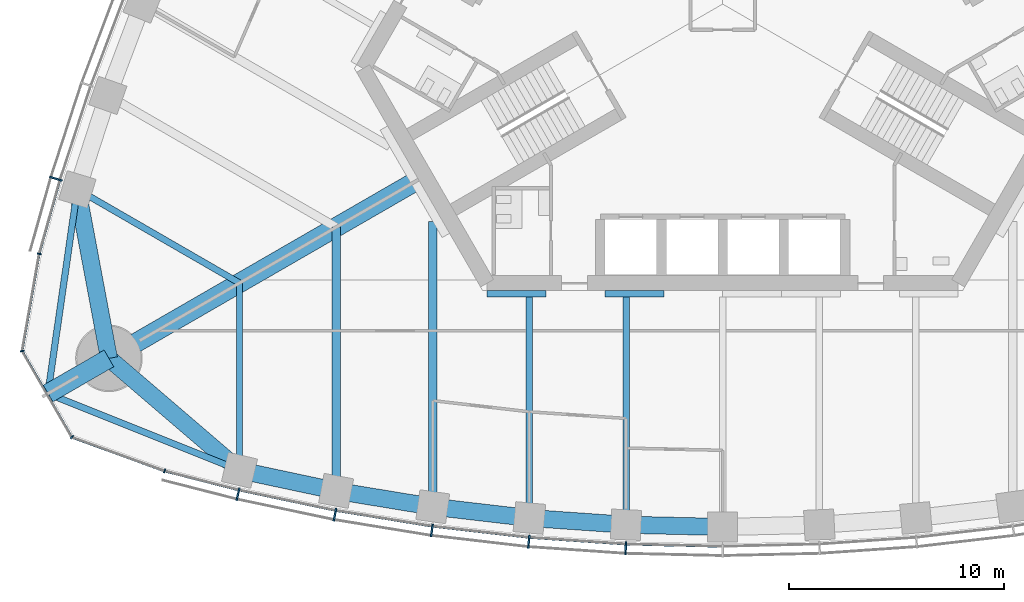
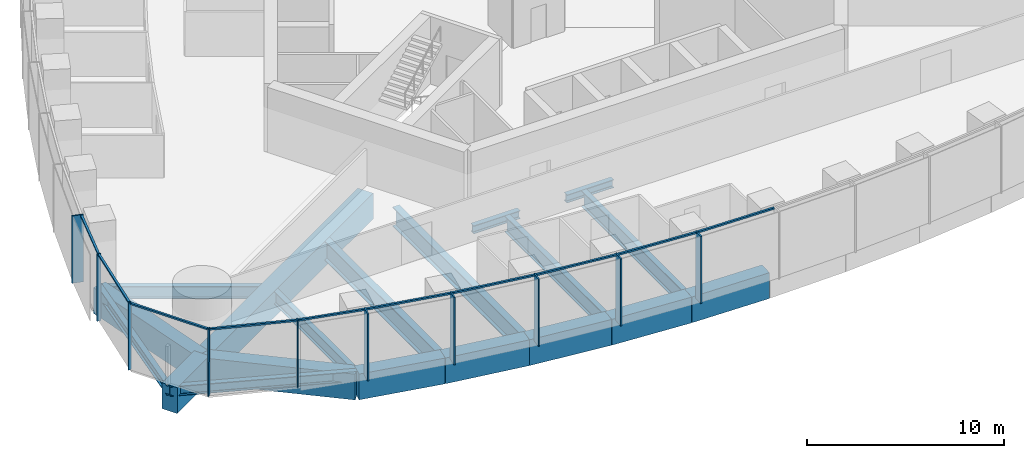
# One storey, part 2 of 19: 20 members, 19 beams, 3 elements without a shape of their own.
"""IFC4 building model written with IfcOpenShell, lengths in metres."""

from ifc_helpers import new_model, si_unit, direction, frame, origin, origin_2d, place, context, subcontext, project, spatial, rectangle, i_section, extrude, material, material_profile, profile_set, type_object, element, aggregate, save


model = new_model("IFC4")

# Units and contexts
model_context = context("Model", 3, precision=1e-05, world=origin(), true_north=direction((0.0, 1.0)))
body_context = subcontext(model_context, "Body", "Model", "MODEL_VIEW")
ifc_project = project(units=[si_unit("LENGTHUNIT", "METRE"), si_unit("AREAUNIT", "SQUARE_METRE"), si_unit("VOLUMEUNIT", "CUBIC_METRE"), si_unit("PLANEANGLEUNIT", "RADIAN"), si_unit("MASSUNIT", "GRAM", prefix="KILO")], contexts=[model_context])

# Site, building, storey
site_placement = place(None, origin())
site = spatial("IfcSite", under=ifc_project, at=site_placement, CompositionType="ELEMENT")
building_placement = place(site_placement, origin())
building = spatial("IfcBuilding", under=site, at=building_placement, Name="Trefoil Bronze Tower", CompositionType="ELEMENT")
storey_placement = place(building_placement, frame((0.0, 0.0, 248.5)))
storey = spatial("IfcBuildingStorey", under=building, at=storey_placement, Name="L57", CompositionType="ELEMENT", Elevation=248.5)

# Curtain wall, members
ifc_material_1 = material(Name="Tinted solar-control glass", Category="glass")
curtain_wall_type_1 = type_object("IfcCurtainWallType", Name="Bronze office curtain wall", PredefinedType="USERDEFINED", material=ifc_material_1)
curtain_wall_1_placement = place(storey_placement, origin())
curtain_wall_1 = element("IfcCurtainWall", 1, at=curtain_wall_1_placement, inside=storey, type_object=curtain_wall_type_1, Name="CW-A L57 F1", ObjectType="CURTAIN WALL", PredefinedType="USERDEFINED")
ifc_material_2 = material(Name="Bronze-finish aluminium", Category="aluminium")
ifc_material_profile_1 = material_profile(ifc_material_2, rectangle(XDim=0.60009765625, YDim=0.080078125, at=origin_2d()), Name="CW-A mullion")
ifc_profile_set_1 = profile_set([ifc_material_profile_1], Name="Bronze-finish aluminium")
member_type_1 = type_object("IfcMemberType", Name="Bronze office curtain wall mullion", PredefinedType="MULLION", material=ifc_profile_set_1)
member_1_placement = place(storey_placement, frame((-22.568115234375, -22.82421875, 0.0), z_axis=(0.0, 0.0, 1.0), x_axis=(0.227082662569, 0.973875487093, 0.0)))
member_1 = element("IfcMember", 2, at=member_1_placement, type_object=member_type_1, Name="CW-A L57 F1 mullion 2", PredefinedType="MULLION", context=body_context, shape_type="SweptSolid", body=[
    extrude(rectangle(XDim=0.60009765625, YDim=0.080078125, at=origin_2d()), origin(), (0.0, 0.0, 1.0), 4.179931640625),
])
member_2_placement = place(storey_placement, frame((-18.05517578125, -23.77783203125, 0.0), z_axis=(0.0, 0.0, 1.0), x_axis=(0.183825368167, 0.982958917767, 0.0)))
member_2 = element("IfcMember", 3, at=member_2_placement, type_object=member_type_1, Name="CW-A L57 F1 mullion 3", PredefinedType="MULLION", context=body_context, shape_type="SweptSolid", body=[
    extrude(rectangle(XDim=0.60009765625, YDim=0.080078125, at=origin_2d()), origin(), (0.0, 0.0, 1.0), 4.179931640625),
])
member_3_placement = place(storey_placement, frame((-13.541259765625, -24.51318359375, 0.0), z_axis=(0.0, 0.0, 1.0), x_axis=(0.137867887204, 0.990450627582, 0.0)))
member_3 = element("IfcMember", 4, at=member_3_placement, type_object=member_type_1, Name="CW-A L57 F1 mullion 4", PredefinedType="MULLION", context=body_context, shape_type="SweptSolid", body=[
    extrude(rectangle(XDim=0.60009765625, YDim=0.080078125, at=origin_2d()), origin(), (0.0, 0.0, 1.0), 4.179931640625),
])
member_4_placement = place(storey_placement, frame((-9.027587890625, -25.03515625, 0.0), z_axis=(0.0, 0.0, 1.0), x_axis=(0.091911396394, 0.995767189263, 0.0)))
member_4 = element("IfcMember", 5, at=member_4_placement, type_object=member_type_1, Name="CW-A L57 F1 mullion 5", PredefinedType="MULLION", context=body_context, shape_type="SweptSolid", body=[
    extrude(rectangle(XDim=0.60009765625, YDim=0.080078125, at=origin_2d()), origin(), (0.0, 0.0, 1.0), 4.179931640625),
])
member_5_placement = place(storey_placement, frame((-4.513671875, -25.346923828125, 0.0), z_axis=(0.0, 0.0, 1.0), x_axis=(0.045955542372, 0.998943485952, 0.0)))
member_5 = element("IfcMember", 6, at=member_5_placement, type_object=member_type_1, Name="CW-A L57 F1 mullion 6", PredefinedType="MULLION", context=body_context, shape_type="SweptSolid", body=[
    extrude(rectangle(XDim=0.60009765625, YDim=0.080078125, at=origin_2d()), origin(), (0.0, 0.0, 1.0), 4.179931640625),
])

# Curtain wall, member
curtain_wall_2_placement = place(storey_placement, origin())
curtain_wall_2 = element("IfcCurtainWall", 7, at=curtain_wall_2_placement, inside=storey, type_object=curtain_wall_type_1, Name="CW-A L57 F3", ObjectType="CURTAIN WALL", PredefinedType="USERDEFINED")
member_6_placement = place(storey_placement, frame((-31.05029296875, -8.132568359375, 0.0), z_axis=(0.0, 0.0, 1.0), x_axis=(0.95694224323, -0.290278389002, 0.0)))
member_6 = element("IfcMember", 8, at=member_6_placement, type_object=member_type_1, Name="CW-A L57 F3 mullion 12", PredefinedType="MULLION", context=body_context, shape_type="SweptSolid", body=[
    extrude(rectangle(XDim=0.60009765625, YDim=0.080078125, at=origin_2d()), origin(), (0.0, 0.0, 1.0), 4.179931640625),
])

# Member
ifc_material_3 = material(Name="Bronze-finish aluminium", Category="aluminium")
ifc_material_profile_2 = material_profile(ifc_material_3, rectangle(XDim=0.1201171875, YDim=0.10009765625, at=origin_2d()), Name="CW-A transom")
ifc_profile_set_2 = profile_set([ifc_material_profile_2], Name="Bronze-finish aluminium")
member_type_2 = type_object("IfcMemberType", Name="Bronze office curtain wall transom", PredefinedType="USERDEFINED", material=ifc_profile_set_2)
member_7_placement = place(storey_placement, frame((-25.93896484375, -21.75732421875, 4.1298828125), z_axis=(0.968935220916, -0.247314653162, 0.0), x_axis=(0.247314653162, 0.968935220916, 0.0)))
member_7 = element("IfcMember", 9, at=member_7_placement, type_object=member_type_2, Name="CW-A L57 F1 transom 1", ObjectType="TRANSOM", PredefinedType="USERDEFINED", context=body_context, shape_type="SweptSolid", body=[
    extrude(rectangle(XDim=0.1201171875, YDim=0.10009765625, at=origin_2d()), origin(), (0.0, 0.0, 1.0), 3.483642578125),
])

member_8_placement = place(storey_placement, frame((-22.4814453125, -22.63818359375, 4.1298828125), z_axis=(0.978395325657, -0.20674280334, 0.0), x_axis=(0.20674280334, 0.978395325657, 0.0)))
member_8 = element("IfcMember", 10, at=member_8_placement, type_object=member_type_2, Name="CW-A L57 F1 transom 2", ObjectType="TRANSOM", PredefinedType="USERDEFINED", context=body_context, shape_type="SweptSolid", body=[
    extrude(rectangle(XDim=0.1201171875, YDim=0.10009765625, at=origin_2d()), origin(), (0.0, 0.0, 1.0), 4.519287109375),
])

member_9_placement = place(storey_placement, frame((-17.9765625, -23.588134765625, 4.1298828125), z_axis=(0.986988367046, -0.160791676761, 0.0), x_axis=(0.160791676761, 0.986988367046, 0.0)))
member_9 = element("IfcMember", 11, at=member_9_placement, type_object=member_type_2, Name="CW-A L57 F1 transom 3", ObjectType="TRANSOM", PredefinedType="USERDEFINED", context=body_context, shape_type="SweptSolid", body=[
    extrude(rectangle(XDim=0.1201171875, YDim=0.10009765625, at=origin_2d()), origin(), (0.0, 0.0, 1.0), 4.479248046875),
])

member_10_placement = place(storey_placement, frame((-13.4716796875, -24.320068359375, 4.1298828125), z_axis=(0.993384885596, -0.114832352013, 0.0), x_axis=(0.114832352013, 0.993384885596, 0.0)))
member_10 = element("IfcMember", 12, at=member_10_placement, type_object=member_type_2, Name="CW-A L57 F1 transom 4", ObjectType="TRANSOM", PredefinedType="USERDEFINED", context=body_context, shape_type="SweptSolid", body=[
    extrude(rectangle(XDim=0.1201171875, YDim=0.10009765625, at=origin_2d()), origin(), (0.0, 0.0, 1.0), 4.449951171875),
])

member_11_placement = place(storey_placement, frame((-8.967041015625, -24.8388671875, 4.1298828125), z_axis=(0.997621320987, -0.06893257512, 0.0), x_axis=(0.06893257512, 0.997621320987, 0.0)))
member_11 = element("IfcMember", 13, at=member_11_placement, type_object=member_type_2, Name="CW-A L57 F1 transom 5", ObjectType="TRANSOM", PredefinedType="USERDEFINED", context=body_context, shape_type="SweptSolid", body=[
    extrude(rectangle(XDim=0.1201171875, YDim=0.10009765625, at=origin_2d()), origin(), (0.0, 0.0, 1.0), 4.4306640625),
])

member_12_placement = place(storey_placement, frame((-4.46240234375, -25.148193359375, 4.1298828125), z_axis=(0.999736131416, -0.022971015226, 0.0), x_axis=(0.022971015226, 0.999736131416, 0.0)))
member_12 = element("IfcMember", 14, at=member_12_placement, type_object=member_type_2, Name="CW-A L57 F1 transom 6", ObjectType="TRANSOM", PredefinedType="USERDEFINED", context=body_context, shape_type="SweptSolid", body=[
    extrude(rectangle(XDim=0.1201171875, YDim=0.10009765625, at=origin_2d()), origin(), (0.0, 0.0, 1.0), 4.42138671875),
])

aggregate(curtain_wall_1, [member_1, member_2, member_3, member_4, member_5, member_7, member_8, member_9, member_10, member_11, member_12])

member_13_placement = place(storey_placement, frame((-30.870361328125, -8.23095703125, 4.1298828125), z_axis=(-0.270284880437, -0.962780392097, 0.0), x_axis=(0.962780392097, -0.270284880437, 0.0)))
member_13 = element("IfcMember", 15, at=member_13_placement, type_object=member_type_2, Name="CW-A L57 F3 transom 12", ObjectType="TRANSOM", PredefinedType="USERDEFINED", context=body_context, shape_type="SweptSolid", body=[
    extrude(rectangle(XDim=0.1201171875, YDim=0.10009765625, at=origin_2d()), origin(), (0.0, 0.0, 1.0), 3.48388671875),
])

aggregate(curtain_wall_2, [member_6, member_13])

# Curtain wall, members
ifc_material_4 = material(Name="Tinted solar-control glass", Category="glass")
curtain_wall_type_2 = type_object("IfcCurtainWallType", Name="Bronze rounded corner curtain wall", PredefinedType="USERDEFINED", material=ifc_material_4)
curtain_wall_3_placement = place(storey_placement, origin())
curtain_wall_3 = element("IfcCurtainWall", 16, at=curtain_wall_3_placement, inside=storey, type_object=curtain_wall_type_2, Name="CW-B L57 K3", ObjectType="CURTAIN WALL", PredefinedType="USERDEFINED")
ifc_material_5 = material(Name="Bronze-finish aluminium", Category="aluminium")
ifc_material_profile_3 = material_profile(ifc_material_5, rectangle(XDim=0.199951171875, YDim=0.06005859375, at=origin_2d()), Name="CW-B mullion")
ifc_profile_set_3 = profile_set([ifc_material_profile_3], Name="Bronze-finish aluminium")
member_type_3 = type_object("IfcMemberType", Name="Bronze rounded corner curtain wall mullion", PredefinedType="MULLION", material=ifc_profile_set_3)
member_14_placement = place(storey_placement, frame((-31.824951171875, -11.63330078125, 0.0), z_axis=(0.0, 0.0, 1.0), x_axis=(0.984807753012, -0.173648177667, 0.0)))
member_14 = element("IfcMember", 17, at=member_14_placement, type_object=member_type_3, Name="CW-B L57 K3 mullion 1", PredefinedType="MULLION", context=body_context, shape_type="SweptSolid", body=[
    extrude(rectangle(XDim=0.199951171875, YDim=0.06005859375, at=origin_2d()), origin(), (0.0, 0.0, 1.0), 4.179931640625),
])
member_15_placement = place(storey_placement, frame((-32.616943359375, -16.158935546875, 0.0), z_axis=(0.0, 0.0, 1.0), x_axis=(0.984807753012, 0.173648177667, 0.0)))
member_15 = element("IfcMember", 18, at=member_15_placement, type_object=member_type_3, Name="CW-B L57 K3 mullion 2", PredefinedType="MULLION", context=body_context, shape_type="SweptSolid", body=[
    extrude(rectangle(XDim=0.199951171875, YDim=0.06005859375, at=origin_2d()), origin(), (0.0, 0.0, 1.0), 4.179931640625),
])
member_16_placement = place(storey_placement, frame((-30.302490234375, -20.16748046875, 0.0), z_axis=(0.0, 0.0, 1.0), x_axis=(0.642787609687, 0.766044443119, 0.0)))
member_16 = element("IfcMember", 19, at=member_16_placement, type_object=member_type_3, Name="CW-B L57 K3 mullion 3", PredefinedType="MULLION", context=body_context, shape_type="SweptSolid", body=[
    extrude(rectangle(XDim=0.199951171875, YDim=0.06005859375, at=origin_2d()), origin(), (0.0, 0.0, 1.0), 4.179931640625),
])
member_17_placement = place(storey_placement, frame((-25.9873046875, -21.74462890625, 0.0), z_axis=(0.0, 0.0, 1.0), x_axis=(0.342020143326, 0.939692620786, 0.0)))
member_17 = element("IfcMember", 20, at=member_17_placement, type_object=member_type_3, Name="CW-B L57 K3 mullion 4", PredefinedType="MULLION", context=body_context, shape_type="SweptSolid", body=[
    extrude(rectangle(XDim=0.199951171875, YDim=0.06005859375, at=origin_2d()), origin(), (0.0, 0.0, 1.0), 4.179931640625),
])
ifc_material_6 = material(Name="Bronze-finish aluminium", Category="aluminium")
ifc_material_profile_4 = material_profile(ifc_material_6, rectangle(XDim=0.1201171875, YDim=0.10009765625, at=origin_2d()), Name="CW-B transom")
ifc_profile_set_4 = profile_set([ifc_material_profile_4], Name="Bronze-finish aluminium")
member_type_4 = type_object("IfcMemberType", Name="Bronze rounded corner curtain wall transom", PredefinedType="USERDEFINED", material=ifc_profile_set_4)
member_18_placement = place(storey_placement, frame((-31.830078125, -11.662841796875, 4.1298828125), z_axis=(-0.173655350028, -0.984806488304, 0.0), x_axis=(0.984806488304, -0.173655350028, 0.0)))
member_18 = element("IfcMember", 21, at=member_18_placement, type_object=member_type_4, Name="CW-B L57 K3 transom 1", ObjectType="TRANSOM", PredefinedType="USERDEFINED", context=body_context, shape_type="SweptSolid", body=[
    extrude(rectangle(XDim=0.1201171875, YDim=0.10009765625, at=origin_2d()), origin(), (0.0, 0.0, 1.0), 4.500244140625),
])
member_19_placement = place(storey_placement, frame((-32.590087890625, -16.217529296875, 4.1298828125), z_axis=(0.500007335828, -0.866021168401, 0.0), x_axis=(0.866021168401, 0.500007335828, 0.0)))
member_19 = element("IfcMember", 22, at=member_19_placement, type_object=member_type_4, Name="CW-B L57 K3 transom 2", ObjectType="TRANSOM", PredefinedType="USERDEFINED", context=body_context, shape_type="SweptSolid", body=[
    extrude(rectangle(XDim=0.1201171875, YDim=0.10009765625, at=origin_2d()), origin(), (0.0, 0.0, 1.0), 4.50048828125),
])
member_20_placement = place(storey_placement, frame((-30.244140625, -20.195068359375, 4.1298828125), z_axis=(0.939680910753, -0.342052314664, 0.0), x_axis=(0.342052314664, 0.939680910753, 0.0)))
member_20 = element("IfcMember", 23, at=member_20_placement, type_object=member_type_4, Name="CW-B L57 K3 transom 3", ObjectType="TRANSOM", PredefinedType="USERDEFINED", context=body_context, shape_type="SweptSolid", body=[
    extrude(rectangle(XDim=0.1201171875, YDim=0.10009765625, at=origin_2d()), origin(), (0.0, 0.0, 1.0), 4.500244140625),
])
aggregate(curtain_wall_3, [member_14, member_15, member_16, member_17, member_18, member_19, member_20])

# Beams
ifc_material_7 = material(Name="Steel C355", Category="steel")
ifc_material_profile_5 = material_profile(ifc_material_7, i_section(OverallWidth=0.300048828125, OverallDepth=0.5, WebThickness=0.014404296875, FlangeThickness=0.028076171875, FilletRadius=0.027099609375, at=origin_2d()), Name="HEB 500")
ifc_profile_set_5 = profile_set([ifc_material_profile_5], Name="Steel C355")
beam_type_1 = type_object("IfcBeamType", Name="Core seat beam HEB 500", PredefinedType="BEAM", material=ifc_profile_set_5)
for number, where, z_axis, x_axis, name in (
    (24, (-10.9697265625, -13.5, -0.449951171875), (1.0, 0.0, 0.0), (0.0, 1.0, 0.0), "Core seat beam F1/-2 L57"),
    (25, (-5.48486328125, -13.5, -0.449951171875), (1.0, 0.0, 0.0), (0.0, 1.0, 0.0), "Core seat beam F1/-1 L57"),
):
    element("IfcBeam", number, at=place(storey_placement, frame(where, z_axis=z_axis, x_axis=x_axis)), inside=storey, type_object=beam_type_1, Name=name, PredefinedType="BEAM", context=body_context, shape_type="SweptSolid", body=[
        extrude(i_section(OverallWidth=0.300048828125, OverallDepth=0.5, WebThickness=0.014404296875, FlangeThickness=0.028076171875, FilletRadius=0.027099609375, at=origin_2d()), origin(), (0.0, 0.0, 1.0), 2.742431640625),
    ])
ifc_material_8 = material(Name="Concrete B80", Category="concrete")
ifc_material_profile_6 = material_profile(ifc_material_8, rectangle(XDim=0.89990234375, YDim=1.60009765625, at=origin_2d()), Name="RC 900x1600")
ifc_profile_set_6 = profile_set([ifc_material_profile_6], Name="Concrete B80")
beam_type_2 = type_object("IfcBeamType", Name="Corner cantilever RC 900x1600", PredefinedType="BEAM", material=ifc_profile_set_6)
beam_1_placement = place(storey_placement, frame((-28.578857421875, -16.5, -1.0), z_axis=(-0.866016004958, -0.500016278891, 0.0), x_axis=(0.500016278891, -0.866016004958, 0.0)))
element("IfcBeam", 26, at=beam_1_placement, inside=storey, type_object=beam_type_2, Name="Corner cantilever K3 L57", PredefinedType="BEAM", context=body_context, shape_type="SweptSolid", body=[
    extrude(rectangle(XDim=0.89990234375, YDim=1.60009765625, at=origin_2d()), origin(), (0.0, 0.0, 1.0), 3.28466796875),
])
ifc_material_9 = material(Name="Steel C355", Category="steel")
ifc_material_profile_7 = material_profile(ifc_material_9, i_section(OverallWidth=0.300048828125, OverallDepth=0.60009765625, WebThickness=0.015380859375, FlangeThickness=0.030029296875, FilletRadius=0.027099609375, at=origin_2d()), Name="HEB 600")
ifc_profile_set_7 = profile_set([ifc_material_profile_7], Name="Steel C355")
beam_type_3 = type_object("IfcBeamType", Name="Corner edge beam HEB 600", PredefinedType="BEAM", material=ifc_profile_set_7)
for number, where, z_axis, x_axis, name in (
    (27, (-22.5, -21.71044921875, -0.5), (-0.92852048463, 0.371281173266, 0.0), (-0.371281173266, -0.92852048463, 0.0), "Corner edge beam F1B L57"),
    (28, (-30.052001953125, -8.63037109375, -0.5), (-0.142694489722, -0.989766781925, 0.0), (0.989766781925, -0.142694489722, 0.0), "Corner edge beam F3A L57"),
):
    element("IfcBeam", number, at=place(storey_placement, frame(where, z_axis=z_axis, x_axis=x_axis)), inside=storey, type_object=beam_type_3, Name=name, PredefinedType="BEAM", context=body_context, shape_type="SweptSolid", body=[
        extrude(i_section(OverallWidth=0.300048828125, OverallDepth=0.60009765625, WebThickness=0.015380859375, FlangeThickness=0.030029296875, FilletRadius=0.027099609375, at=origin_2d()), origin(), (0.0, 0.0, 1.0), 9.6103515625),
    ])
ifc_material_10 = material(Name="Concrete B80", Category="concrete")
ifc_material_profile_8 = material_profile(ifc_material_10, rectangle(XDim=0.89990234375, YDim=1.60009765625, at=origin_2d()), Name="RC 900x1600")
ifc_profile_set_8 = profile_set([ifc_material_profile_8], Name="Concrete B80")
beam_type_4 = type_object("IfcBeamType", Name="Corner girder RC 900x1600", PredefinedType="BEAM", material=ifc_profile_set_8)
beam_2_placement = place(storey_placement, frame((-14.159423828125, -8.175048828125, -1.0), z_axis=(-0.866028334591, -0.49999492366, 0.0), x_axis=(0.49999492366, -0.866028334591, 0.0)))
element("IfcBeam", 29, at=beam_2_placement, inside=storey, type_object=beam_type_4, Name="Corner girder K3 L57", PredefinedType="BEAM", context=body_context, shape_type="SweptSolid", body=[
    extrude(rectangle(XDim=0.89990234375, YDim=1.60009765625, at=origin_2d()), origin(), (0.0, 0.0, 1.0), 16.650146484375),
])
ifc_material_11 = material(Name="Concrete B80", Category="concrete")
ifc_material_profile_9 = material_profile(ifc_material_11, rectangle(XDim=0.800048828125, YDim=1.60009765625, at=origin_2d()), Name="RC 800x1600")
ifc_profile_set_9 = profile_set([ifc_material_profile_9], Name="Concrete B80")
beam_type_5 = type_object("IfcBeamType", Name="End spandrel beam RC 800x1600", PredefinedType="SPANDREL", material=ifc_profile_set_9)
for number, where, z_axis, x_axis, name in (
    (30, (-28.578857421875, -16.5, -1.0), (0.759256602365, -0.650791373456, 0.0), (0.650791373456, 0.759256602365, 0.0), "Spandrel F1.1 L57"),
    (31, (-30.052001953125, -8.63037109375, -1.0), (0.18399763073, -0.982926686933, 0.0), (0.982926686933, 0.18399763073, 0.0), "Spandrel F3.12 L57"),
):
    element("IfcBeam", number, at=place(storey_placement, frame(where, z_axis=z_axis, x_axis=x_axis)), inside=storey, type_object=beam_type_5, Name=name, PredefinedType="SPANDREL", context=body_context, shape_type="SweptSolid", body=[
        extrude(rectangle(XDim=0.800048828125, YDim=1.60009765625, at=origin_2d()), origin(), (0.0, 0.0, 1.0), 8.00634765625),
    ])
ifc_material_12 = material(Name="Steel C355", Category="steel")
ifc_material_profile_10 = material_profile(ifc_material_12, i_section(OverallWidth=0.300048828125, OverallDepth=1.0, WebThickness=0.01904296875, FlangeThickness=0.035888671875, FilletRadius=0.030029296875, at=origin_2d()), Name="HEB 1000")
ifc_profile_set_10 = profile_set([ifc_material_profile_10], Name="Steel C355")
beam_type_6 = type_object("IfcBeamType", Name="Floor beam HEB 1000", PredefinedType="BEAM", material=ifc_profile_set_10)
beam_3_placement = place(storey_placement, frame((-9.0, -23.932861328125, -0.699951171875), z_axis=(0.0, 1.0, 0.0), x_axis=(-1.0, 0.0, 0.0)))
element("IfcBeam", 32, at=beam_3_placement, inside=storey, type_object=beam_type_6, Name="Floor beam F1/-2 L57", PredefinedType="BEAM", context=body_context, shape_type="SweptSolid", body=[
    extrude(i_section(OverallWidth=0.300048828125, OverallDepth=1.0, WebThickness=0.01904296875, FlangeThickness=0.035888671875, FilletRadius=0.030029296875, at=origin_2d()), origin(), (0.0, 0.0, 1.0), 10.282958984375),
])
ifc_material_13 = material(Name="Steel C355", Category="steel")
ifc_material_profile_11 = material_profile(ifc_material_13, i_section(OverallWidth=0.300048828125, OverallDepth=0.800048828125, WebThickness=0.017578125, FlangeThickness=0.032958984375, FilletRadius=0.030029296875, at=origin_2d()), Name="HEB 800")
ifc_profile_set_11 = profile_set([ifc_material_profile_11], Name="Steel C355")
beam_type_7 = type_object("IfcBeamType", Name="Floor beam HEB 800", PredefinedType="BEAM", material=ifc_profile_set_11)
beam_4_placement = place(storey_placement, frame((-22.5, -21.71044921875, -0.60009765625), z_axis=(0.0, 1.0, 0.0), x_axis=(-1.0, 0.0, 0.0)))
element("IfcBeam", 33, at=beam_4_placement, inside=storey, type_object=beam_type_7, Name="Floor beam F1/-5 L57", PredefinedType="BEAM", context=body_context, shape_type="SweptSolid", body=[
    extrude(i_section(OverallWidth=0.300048828125, OverallDepth=0.800048828125, WebThickness=0.017578125, FlangeThickness=0.032958984375, FilletRadius=0.030029296875, at=origin_2d()), origin(), (0.0, 0.0, 1.0), 8.719970703125),
])
beam_5_placement = place(storey_placement, frame((-30.052001953125, -8.63037109375, -0.60009765625), z_axis=(0.866027535932, -0.499996306993, 0.0), x_axis=(0.499996306993, 0.866027535932, 0.0)))
element("IfcBeam", 34, at=beam_5_placement, inside=storey, type_object=beam_type_7, Name="Floor beam F3/+5 L57", PredefinedType="BEAM", context=body_context, shape_type="SweptSolid", body=[
    extrude(i_section(OverallWidth=0.300048828125, OverallDepth=0.800048828125, WebThickness=0.017578125, FlangeThickness=0.032958984375, FilletRadius=0.030029296875, at=origin_2d()), origin(), (0.0, 0.0, 1.0), 8.72021484375),
])
ifc_material_14 = material(Name="Steel C355", Category="steel")
ifc_material_profile_12 = material_profile(ifc_material_14, i_section(OverallWidth=0.302001953125, OverallDepth=1.008056640625, WebThickness=0.02099609375, FlangeThickness=0.0400390625, FilletRadius=0.030029296875, at=origin_2d()), Name="HEM 1000")
ifc_profile_set_12 = profile_set([ifc_material_profile_12], Name="Steel C355")
beam_type_8 = type_object("IfcBeamType", Name="Floor beam HEM 1000", PredefinedType="BEAM", material=ifc_profile_set_12)
beam_6_placement = place(storey_placement, frame((-4.5, -24.246337890625, -0.7041015625), z_axis=(0.0, 1.0, 0.0), x_axis=(-1.0, 0.0, 0.0)))
element("IfcBeam", 35, at=beam_6_placement, inside=storey, type_object=beam_type_8, Name="Floor beam F1/-1 L57", PredefinedType="BEAM", context=body_context, shape_type="SweptSolid", body=[
    extrude(i_section(OverallWidth=0.302001953125, OverallDepth=1.008056640625, WebThickness=0.02099609375, FlangeThickness=0.0400390625, FilletRadius=0.030029296875, at=origin_2d()), origin(), (0.0, 0.0, 1.0), 10.596435546875),
])
ifc_material_15 = material(Name="Steel C355", Category="steel")
ifc_material_profile_13 = material_profile(ifc_material_15, i_section(OverallWidth=0.39990234375, OverallDepth=1.199951171875, WebThickness=0.02001953125, FlangeThickness=0.0400390625, FilletRadius=0.010009765625, at=origin_2d()), Name="WPG 1200")
ifc_profile_set_13 = profile_set([ifc_material_profile_13], Name="Steel C355")
beam_type_9 = type_object("IfcBeamType", Name="Floor beam WPG 1200", PredefinedType="BEAM", material=ifc_profile_set_13)
beam_7_placement = place(storey_placement, frame((-18.0, -22.6689453125, -0.800048828125), z_axis=(0.0, 1.0, 0.0), x_axis=(-1.0, 0.0, 0.0)))
element("IfcBeam", 36, at=beam_7_placement, inside=storey, type_object=beam_type_9, Name="Floor beam F1/-4 L57", PredefinedType="BEAM", context=body_context, shape_type="SweptSolid", body=[
    extrude(i_section(OverallWidth=0.39990234375, OverallDepth=1.199951171875, WebThickness=0.02001953125, FlangeThickness=0.0400390625, FilletRadius=0.010009765625, at=origin_2d()), origin(), (0.0, 0.0, 1.0), 12.276611328125),
])
beam_8_placement = place(storey_placement, frame((-13.5, -23.408447265625, -0.800048828125), z_axis=(0.0, 1.0, 0.0), x_axis=(-1.0, 0.0, 0.0)))
element("IfcBeam", 37, at=beam_8_placement, inside=storey, type_object=beam_type_9, Name="Floor beam F1/-3 L57", PredefinedType="BEAM", context=body_context, shape_type="SweptSolid", body=[
    extrude(i_section(OverallWidth=0.39990234375, OverallDepth=1.199951171875, WebThickness=0.02001953125, FlangeThickness=0.0400390625, FilletRadius=0.010009765625, at=origin_2d()), origin(), (0.0, 0.0, 1.0), 13.291015625),
])
ifc_material_16 = material(Name="Concrete B80", Category="concrete")
ifc_material_profile_14 = material_profile(ifc_material_16, rectangle(XDim=0.800048828125, YDim=1.60009765625, at=origin_2d()), Name="RC 800x1600")
ifc_profile_set_14 = profile_set([ifc_material_profile_14], Name="Concrete B80")
beam_type_10 = type_object("IfcBeamType", Name="Spandrel beam RC 800x1600", PredefinedType="SPANDREL", material=ifc_profile_set_14)
beam_9_placement = place(storey_placement, frame((-22.5, -21.71044921875, -1.0), z_axis=(0.978059483036, -0.208325820877, 0.0), x_axis=(0.208325820877, 0.978059483036, 0.0)))
element("IfcBeam", 38, at=beam_9_placement, inside=storey, type_object=beam_type_10, Name="Spandrel F1.2 L57", PredefinedType="SPANDREL", context=body_context, shape_type="SweptSolid", body=[
    extrude(rectangle(XDim=0.800048828125, YDim=1.60009765625, at=origin_2d()), origin(), (0.0, 0.0, 1.0), 4.600830078125),
])
beam_10_placement = place(storey_placement, frame((-18.0, -22.6689453125, -1.0), z_axis=(0.986764681833, -0.162158757664, 0.0), x_axis=(0.162158757664, 0.986764681833, 0.0)))
element("IfcBeam", 39, at=beam_10_placement, inside=storey, type_object=beam_type_10, Name="Spandrel F1.3 L57", PredefinedType="SPANDREL", context=body_context, shape_type="SweptSolid", body=[
    extrude(rectangle(XDim=0.800048828125, YDim=1.60009765625, at=origin_2d()), origin(), (0.0, 0.0, 1.0), 4.560302734375),
])
beam_11_placement = place(storey_placement, frame((-13.5, -23.408447265625, -1.0), z_axis=(0.993278017132, -0.115753102257, 0.0), x_axis=(0.115753102257, 0.993278017132, 0.0)))
element("IfcBeam", 40, at=beam_11_placement, inside=storey, type_object=beam_type_10, Name="Spandrel F1.4 L57", PredefinedType="SPANDREL", context=body_context, shape_type="SweptSolid", body=[
    extrude(rectangle(XDim=0.800048828125, YDim=1.60009765625, at=origin_2d()), origin(), (0.0, 0.0, 1.0), 4.530517578125),
])
beam_12_placement = place(storey_placement, frame((-9.0, -23.932861328125, -1.0), z_axis=(0.997582435881, -0.069493047291, 0.0), x_axis=(0.069493047291, 0.997582435881, 0.0)))
element("IfcBeam", 41, at=beam_12_placement, inside=storey, type_object=beam_type_10, Name="Spandrel F1.5 L57", PredefinedType="SPANDREL", context=body_context, shape_type="SweptSolid", body=[
    extrude(rectangle(XDim=0.800048828125, YDim=1.60009765625, at=origin_2d()), origin(), (0.0, 0.0, 1.0), 4.510986328125),
])
beam_13_placement = place(storey_placement, frame((-4.5, -24.246337890625, -1.0), z_axis=(0.999731770792, -0.023160018779, 0.0), x_axis=(0.023160018779, 0.999731770792, 0.0)))
element("IfcBeam", 42, at=beam_13_placement, inside=storey, type_object=beam_type_10, Name="Spandrel F1.6 L57", PredefinedType="SPANDREL", context=body_context, shape_type="SweptSolid", body=[
    extrude(rectangle(XDim=0.800048828125, YDim=1.60009765625, at=origin_2d()), origin(), (0.0, 0.0, 1.0), 4.501220703125),
])

save(model, "model.ifc")
